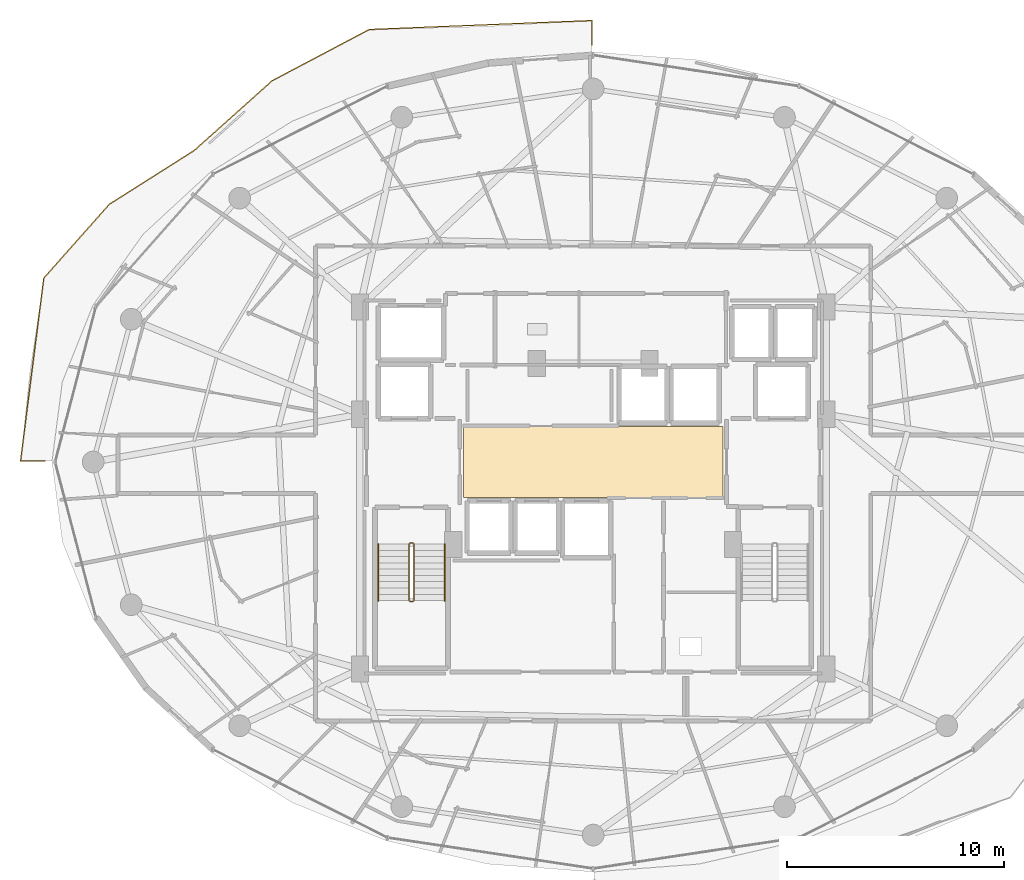
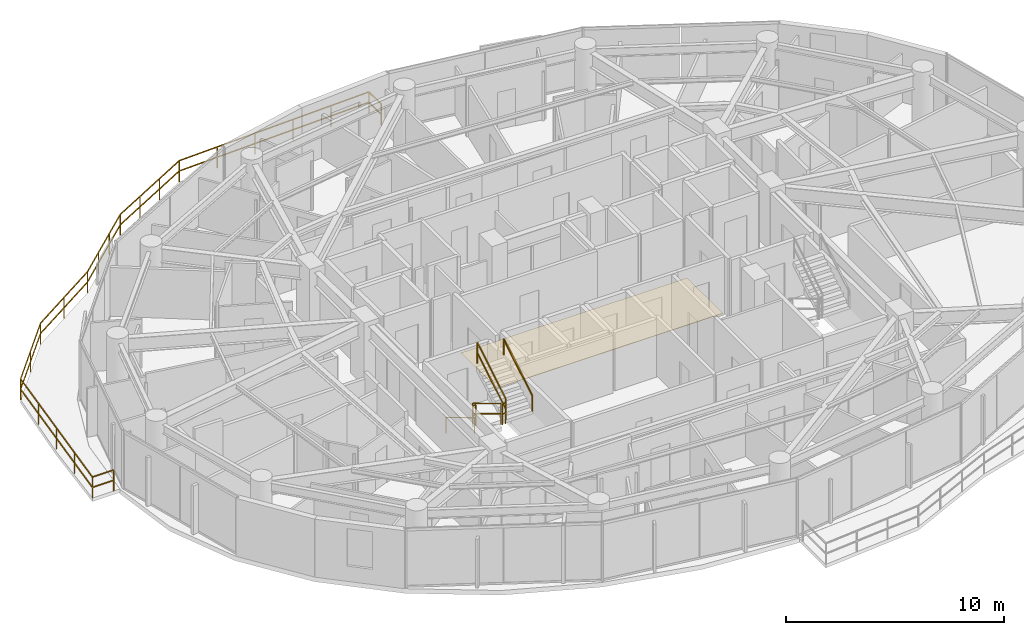
# One storey, part 27 of 30: 8 railings, 1 covering.
"""IFC4 building model written with IfcOpenShell, lengths in metres."""

import ifcopenshell
import ifcopenshell.guid

model = None  # the IFC model being written
_history = None  # IfcOwnerHistory: only IFC2X3 demands one
_inside = {}  # id of a spatial element -> (the spatial element, [elements in it])
_under = {}  # id of a project, library or spatial element -> (it, [spatial elements below it])
_declared = {}  # id of a project -> (the project, [libraries it declares])
_typed = {}  # id of a type object -> (the type object, [elements of that type])
_made_of = {}  # id of a material, layer set ... -> (it, [elements and type objects made of it])


def new_model(schema):
    """Start an empty IFC model of exactly this schema.

    Asked for "IFC4X3", IfcOpenShell would pick the latest addendum, in which some entities
    have other attributes; the version numbers below select the first issue.
    IFC2X3 requires an IfcOwnerHistory on every rooted entity: one is made here for all.
    """
    global model, _history
    if schema == "IFC4X3":
        model = ifcopenshell.file(schema_version=(4, 3, 0, 0))
    else:
        model = ifcopenshell.file(schema=schema)
    _inside.clear()
    _under.clear()
    _declared.clear()
    _typed.clear()
    _made_of.clear()
    _history = None
    if model.schema == "IFC2X3":
        org = make("IfcOrganization", Name="unknown")
        user = make(
            "IfcPersonAndOrganization",
            ThePerson=make("IfcPerson", FamilyName="unknown"),
            TheOrganization=org,
        )
        app = make(
            "IfcApplication",
            ApplicationDeveloper=org,
            Version="unknown",
            ApplicationFullName="unknown",
            ApplicationIdentifier="unknown",
        )
        _history = make(
            "IfcOwnerHistory",
            OwningUser=user,
            OwningApplication=app,
            ChangeAction="ADDED",
            CreationDate=0,
        )
    return model


def make(cls, **values):
    """One entity of the class cls with the attributes given. An attribute that is None is left unset."""
    return model.create_entity(
        cls, **{name: value for name, value in values.items() if value is not None}
    )


def rooted(cls, **values):
    """An entity with a GlobalId (a new one), such as an element, a storey or a relation."""
    return make(cls, GlobalId=ifcopenshell.guid.new(), OwnerHistory=_history, **values)


def si_unit(unit_type, name, prefix=None):
    """IfcSIUnit, for example si_unit("LENGTHUNIT", "METRE", prefix="MILLI")."""
    return make("IfcSIUnit", UnitType=unit_type, Prefix=prefix, Name=name)


def assignment(units):
    """IfcUnitAssignment: the units of a project."""
    return None if units is None else make("IfcUnitAssignment", Units=units)


def point(xyz):
    """IfcCartesianPoint."""
    return None if xyz is None else make("IfcCartesianPoint", Coordinates=xyz)


def direction(xyz):
    """IfcDirection."""
    return None if xyz is None else make("IfcDirection", DirectionRatios=xyz)


def frame(location, z_axis=None, x_axis=None):
    """IfcAxis2Placement3D, a coordinate frame: its origin and axes. An axis left out is left unset."""
    return make(
        "IfcAxis2Placement3D",
        Location=point(location),
        Axis=direction(z_axis),
        RefDirection=direction(x_axis),
    )


def frame_2d(location, x_axis=None):
    """IfcAxis2Placement2D, a coordinate frame in the plane: its origin and x axis."""
    return make(
        "IfcAxis2Placement2D", Location=point(location), RefDirection=direction(x_axis)
    )


def origin():
    """The frame at (0, 0, 0) with its axes left unset."""
    return frame((0.0, 0.0, 0.0))


def origin_2d():
    """The frame at (0, 0) in the plane with its x axis left unset."""
    return frame_2d((0.0, 0.0))


def place(relative_to, where):
    """IfcLocalPlacement: puts the frame where relative to a parent placement (None: the world)."""
    return make(
        "IfcLocalPlacement", PlacementRelTo=relative_to, RelativePlacement=where
    )


def context(
    kind, dimensions, precision=None, world=None, true_north=None, identifier=None
):
    """IfcGeometricRepresentationContext, for example the 3D "Model" context."""
    return make(
        "IfcGeometricRepresentationContext",
        ContextIdentifier=identifier,
        ContextType=kind,
        CoordinateSpaceDimension=dimensions,
        Precision=precision,
        WorldCoordinateSystem=world,
        TrueNorth=true_north,
    )


def subcontext(parent, identifier, kind, view, scale=None):
    """IfcGeometricRepresentationSubContext, for example "Body" below "Model"."""
    return make(
        "IfcGeometricRepresentationSubContext",
        ContextIdentifier=identifier,
        ContextType=kind,
        ParentContext=parent,
        TargetScale=scale,
        TargetView=view,
    )


def project(units=None, contexts=None):
    """IfcProject with its units and contexts."""
    return rooted(
        "IfcProject",
        Name="project",
        RepresentationContexts=contexts,
        UnitsInContext=assignment(units),
    )


def spatial(cls, under=None, at=None, **own):
    """A site, building, storey or space (cls), placed at a placement, below another one or the project."""
    s = rooted(cls, ObjectPlacement=at, **own)
    if under is not None:
        _under.setdefault(under.id(), (under, []))[1].append(s)
    return s


def polyline(points):
    """IfcPolyline through the points."""
    return make("IfcPolyline", Points=[point(p) for p in points])


def profile(cls, at=None, kind="AREA", **sizes):
    """A parametric profile (cls). Its sizes go by their IFC names, for example OverallWidth=200.0."""
    return make(cls, ProfileType=kind, Position=at, **sizes)


def rectangle(**sizes):
    """IfcRectangleProfileDef."""
    return profile("IfcRectangleProfileDef", **sizes)


def outline(outer, holes=None, kind="AREA"):
    """IfcArbitraryClosedProfileDef: a profile drawn as a closed curve; with holes, ...WithVoids."""
    if holes is None:
        return make("IfcArbitraryClosedProfileDef", ProfileType=kind, OuterCurve=outer)
    return make(
        "IfcArbitraryProfileDefWithVoids",
        ProfileType=kind,
        OuterCurve=outer,
        InnerCurves=holes,
    )


def extrude(swept, where, along, depth):
    """IfcExtrudedAreaSolid: the profile swept, set in the frame where, extruded along a direction by depth."""
    return make(
        "IfcExtrudedAreaSolid",
        SweptArea=swept,
        Position=where,
        ExtrudedDirection=direction(along),
        Depth=depth,
    )


def shape(context_of_items, identifier, shape_type, items):
    """IfcShapeRepresentation: the items that make up one representation, for example the "Body"."""
    return make(
        "IfcShapeRepresentation",
        ContextOfItems=context_of_items,
        RepresentationIdentifier=identifier,
        RepresentationType=shape_type,
        Items=items,
    )


def material(Name=None, Category=None):
    """IfcMaterial."""
    return make("IfcMaterial", Name=Name, Category=Category)


def layer(
    of_material, thickness, ventilated=None, Name=None, Category=None, Priority=None
):
    """IfcMaterialLayer: one layer of a wall or slab, of a material (None: an air gap)."""
    return make(
        "IfcMaterialLayer",
        Material=of_material,
        LayerThickness=thickness,
        IsVentilated=ventilated,
        Name=Name,
        Category=Category,
        Priority=Priority,
    )


def layer_set(layers, Name=None):
    """IfcMaterialLayerSet."""
    return make("IfcMaterialLayerSet", MaterialLayers=layers, LayerSetName=Name)


def made_of(thing, what):
    """Note that an element or type object is made of a material, layer set ...; save() writes the relation."""
    if what is not None:
        _made_of.setdefault(what.id(), (what, []))[1].append(thing)
    return thing


def type_object(cls, material=None, **own):
    """A type object (cls), such as IfcWallType, which elements share."""
    return made_of(rooted(cls, **own), material)


def element(
    cls,
    number,
    at=None,
    inside=None,
    cuts=None,
    type_object=None,
    material=None,
    context=None,
    identifier="Body",
    shape_type=None,
    held_by="IfcProductDefinitionShape",
    body=None,
    shapes=None,
    **own,
):
    """One element of the class cls, such as IfcWall. Its Tag is "e" and its number.

    at: its placement. inside: the storey or other place that contains it. cuts: it is an
    opening in that element (IfcRelVoidsElement). A single representation is given by context,
    identifier, shape_type and body (its items); several are given by shapes. held_by: the class
    of the entity that holds the representations. save() writes the other relations.
    """
    e = rooted(cls, Tag="e%d" % number, ObjectPlacement=at, **own)
    if body is not None:
        shapes = [shape(context, identifier, shape_type, body)]
    if shapes is not None:
        e.Representation = make(held_by, Representations=shapes)
    if inside is not None:
        _inside.setdefault(inside.id(), (inside, []))[1].append(e)
    if cuts is not None:
        rooted(
            "IfcRelVoidsElement", RelatingBuildingElement=cuts, RelatedOpeningElement=e
        )
    if type_object is not None:
        _typed.setdefault(type_object.id(), (type_object, []))[1].append(e)
    return made_of(e, material)


def aggregate(whole, parts):
    """IfcRelAggregates: a whole, such as a stair, and the parts it consists of."""
    return rooted("IfcRelAggregates", RelatingObject=whole, RelatedObjects=parts)


def save(model, path):
    """Write the relations noted so far, then the file.

    IfcRelAggregates (storeys below a building ...), IfcRelContainedInSpatialStructure (elements
    in a storey), IfcRelDefinesByType, IfcRelAssociatesMaterial and IfcRelDeclares: one each for
    every whole, place, type object, material and project.
    """
    for whole, parts in _under.values():
        aggregate(whole, parts)
    for where, things in _inside.values():
        rooted(
            "IfcRelContainedInSpatialStructure",
            RelatedElements=things,
            RelatingStructure=where,
        )
    for kind, things in _typed.values():
        rooted("IfcRelDefinesByType", RelatedObjects=things, RelatingType=kind)
    for what, things in _made_of.values():
        rooted("IfcRelAssociatesMaterial", RelatedObjects=things, RelatingMaterial=what)
    for by, libraries in _declared.values():
        rooted("IfcRelDeclares", RelatingContext=by, RelatedDefinitions=libraries)
    model.write(path)


model = new_model("IFC4")

# Units and contexts
model_context = context("Model", 3, precision=1e-05, world=origin(), true_north=direction((0.0, 1.0)))
body_context = subcontext(model_context, "Body", "Model", "MODEL_VIEW")
ifc_project = project(units=[si_unit("LENGTHUNIT", "METRE"), si_unit("AREAUNIT", "SQUARE_METRE"), si_unit("VOLUMEUNIT", "CUBIC_METRE"), si_unit("PLANEANGLEUNIT", "RADIAN"), si_unit("MASSUNIT", "GRAM", prefix="KILO")], contexts=[model_context])

# Site, building, storey
site_placement = place(None, origin())
site = spatial("IfcSite", under=ifc_project, at=site_placement, CompositionType="ELEMENT")
building_placement = place(site_placement, origin())
building = spatial("IfcBuilding", under=site, at=building_placement, Name="Vorneva Point Tower", CompositionType="ELEMENT")
storey_placement = place(building_placement, frame((0.0, 0.0, 153.60009765625)))
storey = spatial("IfcBuildingStorey", under=building, at=storey_placement, Name="L41", CompositionType="ELEMENT", Elevation=153.60009765625)

# Covering
ifc_material_1 = material(Name="Acoustic wool hospitality carpet", Category="textile")
ifc_layer = layer(ifc_material_1, 0.01806640625)
ifc_layer_set = layer_set([ifc_layer], Name="Acoustic wool hospitality carpet")
covering_type = type_object("IfcCoveringType", Name="COV-FLR-CRP", PredefinedType="FLOORING", material=ifc_layer_set)
covering_placement = place(storey_placement, frame((0.0, 0.0, -0.005126953125)))
element("IfcCovering", 1, at=covering_placement, inside=storey, type_object=covering_type, Name="L41 Lift Lobby Floor Finish", PredefinedType="FLOORING", context=body_context, shape_type="SweptSolid", body=[
    extrude(outline(polyline([(32.02001953125, 24.3701171875), (43.97998046875, 24.3701171875), (43.97998046875, 27.6298828125), (32.02001953125, 27.6298828125), (32.02001953125, 24.3701171875)])), origin(), (0.0, 0.0, 1.0), 0.02294921875),
])

# Railings
ifc_material_2 = material(Name="Pale anodised aluminium", Category="aluminium")
railing_type_1 = type_object("IfcRailingType", Name="RL-BAL-1200", PredefinedType="BALUSTRADE", material=ifc_material_2)
railing_1_placement = place(storey_placement, frame((11.60009765625, 26.050048828125, 0.0)))
element("IfcRailing", 2, at=railing_1_placement, inside=storey, type_object=railing_type_1, Name="L41 Wave Balcony Balustrade NW.1", PredefinedType="BALUSTRADE", context=body_context, shape_type="SweptSolid", body=[
    extrude(rectangle(XDim=0.048095703125, YDim=0.048095703125, at=origin_2d()), frame((0.0, 0.0, 1.17578125), z_axis=(1.0, 0.0, 0.0), x_axis=(0.0, 1.0, 0.0)), (0.0, 0.0, 1.0), 1.1337890625),
    extrude(rectangle(XDim=0.048095703125, YDim=0.048095703125, at=origin_2d()), frame((0.0, 0.0, 0.60009765625), z_axis=(1.0, 0.0, 0.0), x_axis=(0.0, 1.0, 0.0)), (0.0, 0.0, 1.0), 1.1337890625),
    extrude(rectangle(XDim=0.0419921875, YDim=0.0419921875, at=origin_2d()), origin(), (0.0, 0.0, 1.0), 1.15185546875),
    extrude(rectangle(XDim=0.0419921875, YDim=0.0419921875, at=origin_2d()), frame((1.1337890625, 0.0, 0.0)), (0.0, 0.0, 1.0), 1.15185546875),
])
railing_2_placement = place(storey_placement, frame((37.949951171875, 45.21728515625, 0.0)))
element("IfcRailing", 3, at=railing_2_placement, inside=storey, type_object=railing_type_1, Name="L41 Wave Balcony Balustrade NW.2", PredefinedType="BALUSTRADE", context=body_context, shape_type="SweptSolid", body=[
    extrude(rectangle(XDim=0.048095703125, YDim=0.048095703125, at=origin_2d()), frame((0.0, 0.0, 1.17578125), z_axis=(0.0, 1.0, 0.0), x_axis=(-1.0, 0.0, 0.0)), (0.0, 0.0, 1.0), 1.135009765625),
    extrude(rectangle(XDim=0.048095703125, YDim=0.048095703125, at=origin_2d()), frame((0.0, 0.0, 0.60009765625), z_axis=(0.0, 1.0, 0.0), x_axis=(-1.0, 0.0, 0.0)), (0.0, 0.0, 1.0), 1.135009765625),
    extrude(rectangle(XDim=0.048095703125, YDim=0.048095703125, at=origin_2d()), frame((0.0, 1.135009765625, 1.17578125), z_axis=(-0.999191945424, -0.040192738158, 0.0), x_axis=(0.040192738158, -0.999191945424, 0.0)), (0.0, 0.0, 1.0), 10.28369140625),
    extrude(rectangle(XDim=0.048095703125, YDim=0.048095703125, at=origin_2d()), frame((0.0, 1.135009765625, 0.60009765625), z_axis=(-0.999191945424, -0.040192738158, 0.0), x_axis=(0.040192738158, -0.999191945424, 0.0)), (0.0, 0.0, 1.0), 10.28369140625),
    extrude(rectangle(XDim=0.048095703125, YDim=0.048095703125, at=origin_2d()), frame((-10.275390625, 0.7216796875, 1.17578125), z_axis=(-0.884464909332, -0.466606712512, 0.0), x_axis=(0.466606712512, -0.884464909332, 0.0)), (0.0, 0.0, 1.0), 5.063232421875),
    extrude(rectangle(XDim=0.048095703125, YDim=0.048095703125, at=origin_2d()), frame((-10.275390625, 0.7216796875, 0.60009765625), z_axis=(-0.884464909332, -0.466606712512, 0.0), x_axis=(0.466606712512, -0.884464909332, 0.0)), (0.0, 0.0, 1.0), 5.063232421875),
    extrude(rectangle(XDim=0.048095703125, YDim=0.048095703125, at=origin_2d()), frame((-14.753662109375, -1.640869140625, 1.17578125), z_axis=(-0.745181726232, -0.666861451045, 0.0), x_axis=(0.666861451045, -0.745181726232, 0.0)), (0.0, 0.0, 1.0), 4.822265625),
    extrude(rectangle(XDim=0.048095703125, YDim=0.048095703125, at=origin_2d()), frame((-14.753662109375, -1.640869140625, 0.60009765625), z_axis=(-0.745181726232, -0.666861451045, 0.0), x_axis=(0.666861451045, -0.745181726232, 0.0)), (0.0, 0.0, 1.0), 4.822265625),
    extrude(rectangle(XDim=0.048095703125, YDim=0.048095703125, at=origin_2d()), frame((-18.34716796875, -4.856689453125, 1.17578125), z_axis=(-0.844638774344, -0.535336661246, 0.0), x_axis=(0.535336661246, -0.844638774344, 0.0)), (0.0, 0.0, 1.0), 4.632568359375),
    extrude(rectangle(XDim=0.048095703125, YDim=0.048095703125, at=origin_2d()), frame((-18.34716796875, -4.856689453125, 0.60009765625), z_axis=(-0.844638774344, -0.535336661246, 0.0), x_axis=(0.535336661246, -0.844638774344, 0.0)), (0.0, 0.0, 1.0), 4.632568359375),
    extrude(rectangle(XDim=0.048095703125, YDim=0.048095703125, at=origin_2d()), frame((-22.260009765625, -7.336669921875, 1.17578125), z_axis=(-0.663743942906, -0.747959877437, 0.0), x_axis=(0.747959877437, -0.663743942906, 0.0)), (0.0, 0.0, 1.0), 4.548583984375),
    extrude(rectangle(XDim=0.048095703125, YDim=0.048095703125, at=origin_2d()), frame((-22.260009765625, -7.336669921875, 0.60009765625), z_axis=(-0.663743942906, -0.747959877437, 0.0), x_axis=(0.747959877437, -0.663743942906, 0.0)), (0.0, 0.0, 1.0), 4.548583984375),
    extrude(rectangle(XDim=0.048095703125, YDim=0.048095703125, at=origin_2d()), frame((-25.279052734375, -10.73876953125, 1.17578125), z_axis=(-0.126032686267, -0.992026089371, 0.0), x_axis=(0.992026089371, -0.126032686267, 0.0)), (0.0, 0.0, 1.0), 8.49609375),
    extrude(rectangle(XDim=0.048095703125, YDim=0.048095703125, at=origin_2d()), frame((-25.279052734375, -10.73876953125, 0.60009765625), z_axis=(-0.126032686267, -0.992026089371, 0.0), x_axis=(0.992026089371, -0.126032686267, 0.0)), (0.0, 0.0, 1.0), 8.49609375),
    extrude(rectangle(XDim=0.0419921875, YDim=0.0419921875, at=origin_2d()), origin(), (0.0, 0.0, 1.0), 1.15185546875),
    extrude(rectangle(XDim=0.0419921875, YDim=0.0419921875, at=origin_2d()), frame((0.0, 1.135009765625, 0.0)), (0.0, 0.0, 1.0), 1.15185546875),
    extrude(rectangle(XDim=0.0419921875, YDim=0.0419921875, at=origin_2d()), frame((-2.05517578125, 1.05224609375, 0.0)), (0.0, 0.0, 1.0), 1.15185546875),
    extrude(rectangle(XDim=0.0419921875, YDim=0.0419921875, at=origin_2d()), frame((-4.110107421875, 0.9697265625, 0.0)), (0.0, 0.0, 1.0), 1.15185546875),
    extrude(rectangle(XDim=0.0419921875, YDim=0.0419921875, at=origin_2d()), frame((-6.165283203125, 0.886962890625, 0.0)), (0.0, 0.0, 1.0), 1.15185546875),
    extrude(rectangle(XDim=0.0419921875, YDim=0.0419921875, at=origin_2d()), frame((-8.22021484375, 0.804443359375, 0.0)), (0.0, 0.0, 1.0), 1.15185546875),
    extrude(rectangle(XDim=0.0419921875, YDim=0.0419921875, at=origin_2d()), frame((-10.275390625, 0.7216796875, 0.0)), (0.0, 0.0, 1.0), 1.15185546875),
    extrude(rectangle(XDim=0.0419921875, YDim=0.0419921875, at=origin_2d()), frame((-11.76806640625, -0.06591796875, 0.0)), (0.0, 0.0, 1.0), 1.15185546875),
    extrude(rectangle(XDim=0.0419921875, YDim=0.0419921875, at=origin_2d()), frame((-13.260986328125, -0.853271484375, 0.0)), (0.0, 0.0, 1.0), 1.15185546875),
    extrude(rectangle(XDim=0.0419921875, YDim=0.0419921875, at=origin_2d()), frame((-14.753662109375, -1.640869140625, 0.0)), (0.0, 0.0, 1.0), 1.15185546875),
    extrude(rectangle(XDim=0.0419921875, YDim=0.0419921875, at=origin_2d()), frame((-15.951416015625, -2.712890625, 0.0)), (0.0, 0.0, 1.0), 1.15185546875),
    extrude(rectangle(XDim=0.0419921875, YDim=0.0419921875, at=origin_2d()), frame((-17.1494140625, -3.78466796875, 0.0)), (0.0, 0.0, 1.0), 1.15185546875),
    extrude(rectangle(XDim=0.0419921875, YDim=0.0419921875, at=origin_2d()), frame((-18.34716796875, -4.856689453125, 0.0)), (0.0, 0.0, 1.0), 1.15185546875),
    extrude(rectangle(XDim=0.0419921875, YDim=0.0419921875, at=origin_2d()), frame((-20.3037109375, -6.0966796875, 0.0)), (0.0, 0.0, 1.0), 1.15185546875),
    extrude(rectangle(XDim=0.0419921875, YDim=0.0419921875, at=origin_2d()), frame((-22.260009765625, -7.336669921875, 0.0)), (0.0, 0.0, 1.0), 1.15185546875),
    extrude(rectangle(XDim=0.0419921875, YDim=0.0419921875, at=origin_2d()), frame((-23.76953125, -9.03759765625, 0.0)), (0.0, 0.0, 1.0), 1.15185546875),
    extrude(rectangle(XDim=0.0419921875, YDim=0.0419921875, at=origin_2d()), frame((-25.279052734375, -10.73876953125, 0.0)), (0.0, 0.0, 1.0), 1.15185546875),
    extrude(rectangle(XDim=0.0419921875, YDim=0.0419921875, at=origin_2d()), frame((-25.546875, -12.845947265625, 0.0)), (0.0, 0.0, 1.0), 1.15185546875),
    extrude(rectangle(XDim=0.0419921875, YDim=0.0419921875, at=origin_2d()), frame((-25.814453125, -14.953125, 0.0)), (0.0, 0.0, 1.0), 1.15185546875),
    extrude(rectangle(XDim=0.0419921875, YDim=0.0419921875, at=origin_2d()), frame((-26.08203125, -17.06005859375, 0.0)), (0.0, 0.0, 1.0), 1.15185546875),
    extrude(rectangle(XDim=0.0419921875, YDim=0.0419921875, at=origin_2d()), frame((-26.349853515625, -19.167236328125, 0.0)), (0.0, 0.0, 1.0), 1.15185546875),
])
ifc_material_3 = material(Name="Brushed stainless steel S304", Category="steel")
railing_type_2 = type_object("IfcRailingType", Name="RL-HND-920", PredefinedType="HANDRAIL", material=ifc_material_3)
railing_3_placement = place(storey_placement, frame((28.10009765625, 22.219970703125, 0.1748046875)))
element("IfcRailing", 4, at=railing_3_placement, inside=storey, type_object=railing_type_2, Name="L41 ST1 stair handrail 1", PredefinedType="HANDRAIL", context=body_context, shape_type="SweptSolid", body=[
    extrude(rectangle(XDim=0.048095703125, YDim=0.048095703125, at=origin_2d()), frame((0.0, 0.0, 0.8759765625), z_axis=(0.0, -0.856147343639, 0.516731773728), x_axis=(1.0, 0.0, 0.0)), (0.0, 0.0, 1.0), 3.04833984375),
    extrude(rectangle(XDim=0.0419921875, YDim=0.0419921875, at=origin_2d()), origin(), (0.0, 0.0, 1.0), 0.851806640625),
    extrude(rectangle(XDim=0.0419921875, YDim=0.0419921875, at=origin_2d()), frame((0.0, -2.60986328125, 1.5751953125)), (0.0, 0.0, 1.0), 0.851806640625),
])
railing_4_placement = place(storey_placement, frame((31.14990234375, 19.610107421875, 1.9248046875)))
element("IfcRailing", 5, at=railing_4_placement, inside=storey, type_object=railing_type_2, Name="L41 ST1 stair handrail 2", PredefinedType="HANDRAIL", context=body_context, shape_type="SweptSolid", body=[
    extrude(rectangle(XDim=0.048095703125, YDim=0.048095703125, at=origin_2d()), frame((0.0, 0.0, 0.8759765625), z_axis=(0.0, 0.856147343639, 0.516731773728), x_axis=(-1.0, 0.0, 0.0)), (0.0, 0.0, 1.0), 3.04833984375),
    extrude(rectangle(XDim=0.0419921875, YDim=0.0419921875, at=origin_2d()), origin(), (0.0, 0.0, 1.0), 0.851806640625),
    extrude(rectangle(XDim=0.0419921875, YDim=0.0419921875, at=origin_2d()), frame((0.0, 2.60986328125, 1.5751953125)), (0.0, 0.0, 1.0), 0.851806640625),
])
railing_type_3 = type_object("IfcRailingType", Name="RL-STG-1100", PredefinedType="GUARDRAIL", material=ifc_material_3)
railing_5_placement = place(storey_placement, frame((29.5, 22.219970703125, 0.1748046875)))
element("IfcRailing", 6, at=railing_5_placement, inside=storey, type_object=railing_type_3, Name="L41 ST1 stair guard 1", PredefinedType="GUARDRAIL", context=body_context, shape_type="SweptSolid", body=[
    extrude(rectangle(XDim=0.048095703125, YDim=0.048095703125, at=origin_2d()), frame((0.0, 0.0, 1.17578125), z_axis=(0.0, -0.856147343639, 0.516731773728), x_axis=(1.0, 0.0, 0.0)), (0.0, 0.0, 1.0), 3.04833984375),
    extrude(rectangle(XDim=0.048095703125, YDim=0.048095703125, at=origin_2d()), frame((0.0, 0.0, 0.60009765625), z_axis=(0.0, -0.856147343639, 0.516731773728), x_axis=(1.0, 0.0, 0.0)), (0.0, 0.0, 1.0), 3.04833984375),
    extrude(rectangle(XDim=0.0419921875, YDim=0.0419921875, at=origin_2d()), origin(), (0.0, 0.0, 1.0), 1.15185546875),
    extrude(rectangle(XDim=0.0419921875, YDim=0.0419921875, at=origin_2d()), frame((0.0, -2.60986328125, 1.5751953125)), (0.0, 0.0, 1.0), 1.15185546875),
])
railing_6_placement = place(storey_placement, frame((29.550048828125, 19.56005859375, 1.75)))
element("IfcRailing", 7, at=railing_6_placement, inside=storey, type_object=railing_type_3, Name="L41 ST1 stair guard 2", PredefinedType="GUARDRAIL", context=body_context, shape_type="SweptSolid", body=[
    extrude(rectangle(XDim=0.048095703125, YDim=0.048095703125, at=origin_2d()), frame((0.0, 0.0, 1.17578125), z_axis=(1.0, 0.0, 0.0), x_axis=(0.0, 1.0, 0.0)), (0.0, 0.0, 1.0), 0.14990234375),
    extrude(rectangle(XDim=0.048095703125, YDim=0.048095703125, at=origin_2d()), frame((0.0, 0.0, 0.60009765625), z_axis=(1.0, 0.0, 0.0), x_axis=(0.0, 1.0, 0.0)), (0.0, 0.0, 1.0), 0.14990234375),
    extrude(rectangle(XDim=0.0419921875, YDim=0.0419921875, at=origin_2d()), origin(), (0.0, 0.0, 1.0), 1.15185546875),
    extrude(rectangle(XDim=0.0419921875, YDim=0.0419921875, at=origin_2d()), frame((0.14990234375, 0.0, 0.0)), (0.0, 0.0, 1.0), 1.15185546875),
])
railing_7_placement = place(storey_placement, frame((29.75, 19.610107421875, 1.9248046875)))
element("IfcRailing", 8, at=railing_7_placement, inside=storey, type_object=railing_type_3, Name="L41 ST1 stair guard 3", PredefinedType="GUARDRAIL", context=body_context, shape_type="SweptSolid", body=[
    extrude(rectangle(XDim=0.048095703125, YDim=0.048095703125, at=origin_2d()), frame((0.0, 0.0, 1.17578125), z_axis=(0.0, 0.856147343639, 0.516731773728), x_axis=(-1.0, 0.0, 0.0)), (0.0, 0.0, 1.0), 3.04833984375),
    extrude(rectangle(XDim=0.048095703125, YDim=0.048095703125, at=origin_2d()), frame((0.0, 0.0, 0.60009765625), z_axis=(0.0, 0.856147343639, 0.516731773728), x_axis=(-1.0, 0.0, 0.0)), (0.0, 0.0, 1.0), 3.04833984375),
    extrude(rectangle(XDim=0.0419921875, YDim=0.0419921875, at=origin_2d()), origin(), (0.0, 0.0, 1.0), 1.15185546875),
    extrude(rectangle(XDim=0.0419921875, YDim=0.0419921875, at=origin_2d()), frame((0.0, 2.60986328125, 1.5751953125)), (0.0, 0.0, 1.0), 1.15185546875),
])
railing_8_placement = place(storey_placement, frame((29.550048828125, 22.27001953125, 0.0)))
element("IfcRailing", 9, at=railing_8_placement, inside=storey, type_object=railing_type_3, Name="L41 ST1 stair guard 4", PredefinedType="GUARDRAIL", context=body_context, shape_type="SweptSolid", body=[
    extrude(rectangle(XDim=0.048095703125, YDim=0.048095703125, at=origin_2d()), frame((0.0, 0.0, 1.17578125), z_axis=(1.0, 0.0, 0.0), x_axis=(0.0, 1.0, 0.0)), (0.0, 0.0, 1.0), 0.14990234375),
    extrude(rectangle(XDim=0.048095703125, YDim=0.048095703125, at=origin_2d()), frame((0.0, 0.0, 0.60009765625), z_axis=(1.0, 0.0, 0.0), x_axis=(0.0, 1.0, 0.0)), (0.0, 0.0, 1.0), 0.14990234375),
    extrude(rectangle(XDim=0.0419921875, YDim=0.0419921875, at=origin_2d()), origin(), (0.0, 0.0, 1.0), 1.15185546875),
    extrude(rectangle(XDim=0.0419921875, YDim=0.0419921875, at=origin_2d()), frame((0.14990234375, 0.0, 0.0)), (0.0, 0.0, 1.0), 1.15185546875),
])

save(model, "model.ifc")
